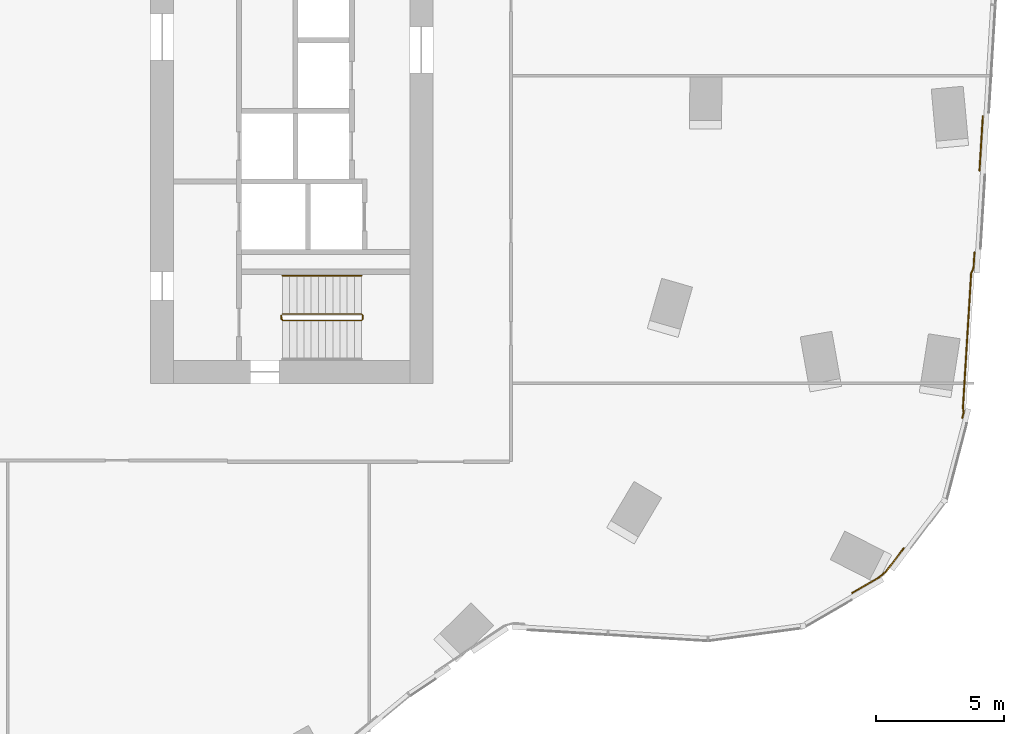
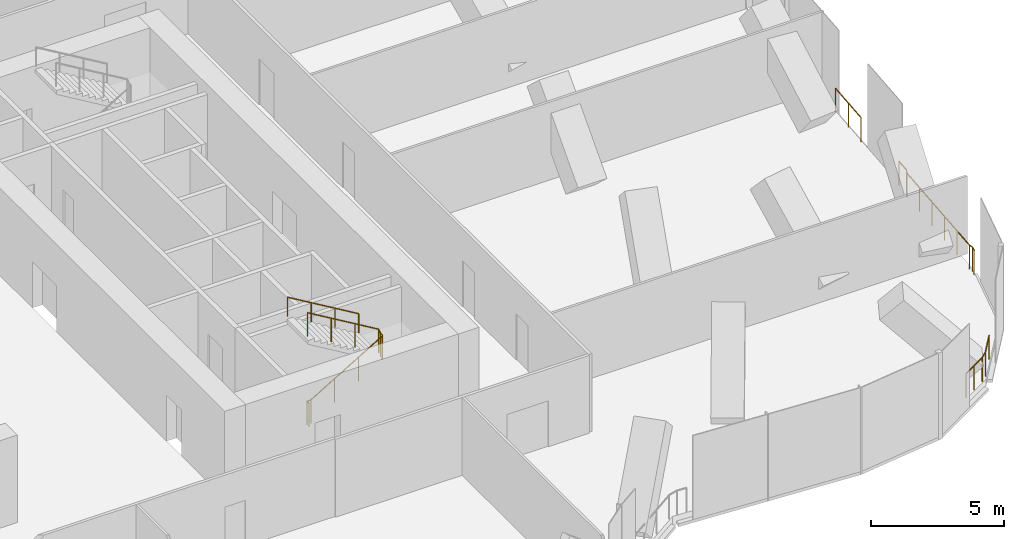
# One storey, part 26 of 28: 6 railings.
"""IFC4 building model written with IfcOpenShell, lengths in metres."""

import ifcopenshell
import ifcopenshell.guid

model = None  # the IFC model being written
_history = None  # IfcOwnerHistory: only IFC2X3 demands one
_inside = {}  # id of a spatial element -> (the spatial element, [elements in it])
_under = {}  # id of a project, library or spatial element -> (it, [spatial elements below it])
_declared = {}  # id of a project -> (the project, [libraries it declares])
_typed = {}  # id of a type object -> (the type object, [elements of that type])
_made_of = {}  # id of a material, layer set ... -> (it, [elements and type objects made of it])


def new_model(schema):
    """Start an empty IFC model of exactly this schema.

    Asked for "IFC4X3", IfcOpenShell would pick the latest addendum, in which some entities
    have other attributes; the version numbers below select the first issue.
    IFC2X3 requires an IfcOwnerHistory on every rooted entity: one is made here for all.
    """
    global model, _history
    if schema == "IFC4X3":
        model = ifcopenshell.file(schema_version=(4, 3, 0, 0))
    else:
        model = ifcopenshell.file(schema=schema)
    _inside.clear()
    _under.clear()
    _declared.clear()
    _typed.clear()
    _made_of.clear()
    _history = None
    if model.schema == "IFC2X3":
        org = make("IfcOrganization", Name="unknown")
        user = make(
            "IfcPersonAndOrganization",
            ThePerson=make("IfcPerson", FamilyName="unknown"),
            TheOrganization=org,
        )
        app = make(
            "IfcApplication",
            ApplicationDeveloper=org,
            Version="unknown",
            ApplicationFullName="unknown",
            ApplicationIdentifier="unknown",
        )
        _history = make(
            "IfcOwnerHistory",
            OwningUser=user,
            OwningApplication=app,
            ChangeAction="ADDED",
            CreationDate=0,
        )
    return model


def make(cls, **values):
    """One entity of the class cls with the attributes given. An attribute that is None is left unset."""
    return model.create_entity(
        cls, **{name: value for name, value in values.items() if value is not None}
    )


def rooted(cls, **values):
    """An entity with a GlobalId (a new one), such as an element, a storey or a relation."""
    return make(cls, GlobalId=ifcopenshell.guid.new(), OwnerHistory=_history, **values)


def si_unit(unit_type, name, prefix=None):
    """IfcSIUnit, for example si_unit("LENGTHUNIT", "METRE", prefix="MILLI")."""
    return make("IfcSIUnit", UnitType=unit_type, Prefix=prefix, Name=name)


def assignment(units):
    """IfcUnitAssignment: the units of a project."""
    return None if units is None else make("IfcUnitAssignment", Units=units)


def point(xyz):
    """IfcCartesianPoint."""
    return None if xyz is None else make("IfcCartesianPoint", Coordinates=xyz)


def direction(xyz):
    """IfcDirection."""
    return None if xyz is None else make("IfcDirection", DirectionRatios=xyz)


def frame(location, z_axis=None, x_axis=None):
    """IfcAxis2Placement3D, a coordinate frame: its origin and axes. An axis left out is left unset."""
    return make(
        "IfcAxis2Placement3D",
        Location=point(location),
        Axis=direction(z_axis),
        RefDirection=direction(x_axis),
    )


def frame_2d(location, x_axis=None):
    """IfcAxis2Placement2D, a coordinate frame in the plane: its origin and x axis."""
    return make(
        "IfcAxis2Placement2D", Location=point(location), RefDirection=direction(x_axis)
    )


def origin():
    """The frame at (0, 0, 0) with its axes left unset."""
    return frame((0.0, 0.0, 0.0))


def origin_2d():
    """The frame at (0, 0) in the plane with its x axis left unset."""
    return frame_2d((0.0, 0.0))


def place(relative_to, where):
    """IfcLocalPlacement: puts the frame where relative to a parent placement (None: the world)."""
    return make(
        "IfcLocalPlacement", PlacementRelTo=relative_to, RelativePlacement=where
    )


def context(
    kind, dimensions, precision=None, world=None, true_north=None, identifier=None
):
    """IfcGeometricRepresentationContext, for example the 3D "Model" context."""
    return make(
        "IfcGeometricRepresentationContext",
        ContextIdentifier=identifier,
        ContextType=kind,
        CoordinateSpaceDimension=dimensions,
        Precision=precision,
        WorldCoordinateSystem=world,
        TrueNorth=true_north,
    )


def subcontext(parent, identifier, kind, view, scale=None):
    """IfcGeometricRepresentationSubContext, for example "Body" below "Model"."""
    return make(
        "IfcGeometricRepresentationSubContext",
        ContextIdentifier=identifier,
        ContextType=kind,
        ParentContext=parent,
        TargetScale=scale,
        TargetView=view,
    )


def project(units=None, contexts=None):
    """IfcProject with its units and contexts."""
    return rooted(
        "IfcProject",
        Name="project",
        RepresentationContexts=contexts,
        UnitsInContext=assignment(units),
    )


def spatial(cls, under=None, at=None, **own):
    """A site, building, storey or space (cls), placed at a placement, below another one or the project."""
    s = rooted(cls, ObjectPlacement=at, **own)
    if under is not None:
        _under.setdefault(under.id(), (under, []))[1].append(s)
    return s


def profile(cls, at=None, kind="AREA", **sizes):
    """A parametric profile (cls). Its sizes go by their IFC names, for example OverallWidth=200.0."""
    return make(cls, ProfileType=kind, Position=at, **sizes)


def circle(**sizes):
    """IfcCircleProfileDef."""
    return profile("IfcCircleProfileDef", **sizes)


def extrude(swept, where, along, depth):
    """IfcExtrudedAreaSolid: the profile swept, set in the frame where, extruded along a direction by depth."""
    return make(
        "IfcExtrudedAreaSolid",
        SweptArea=swept,
        Position=where,
        ExtrudedDirection=direction(along),
        Depth=depth,
    )


def shape(context_of_items, identifier, shape_type, items):
    """IfcShapeRepresentation: the items that make up one representation, for example the "Body"."""
    return make(
        "IfcShapeRepresentation",
        ContextOfItems=context_of_items,
        RepresentationIdentifier=identifier,
        RepresentationType=shape_type,
        Items=items,
    )


def material(Name=None, Category=None):
    """IfcMaterial."""
    return make("IfcMaterial", Name=Name, Category=Category)


def made_of(thing, what):
    """Note that an element or type object is made of a material, layer set ...; save() writes the relation."""
    if what is not None:
        _made_of.setdefault(what.id(), (what, []))[1].append(thing)
    return thing


def type_object(cls, material=None, **own):
    """A type object (cls), such as IfcWallType, which elements share."""
    return made_of(rooted(cls, **own), material)


def element(
    cls,
    number,
    at=None,
    inside=None,
    cuts=None,
    type_object=None,
    material=None,
    context=None,
    identifier="Body",
    shape_type=None,
    held_by="IfcProductDefinitionShape",
    body=None,
    shapes=None,
    **own,
):
    """One element of the class cls, such as IfcWall. Its Tag is "e" and its number.

    at: its placement. inside: the storey or other place that contains it. cuts: it is an
    opening in that element (IfcRelVoidsElement). A single representation is given by context,
    identifier, shape_type and body (its items); several are given by shapes. held_by: the class
    of the entity that holds the representations. save() writes the other relations.
    """
    e = rooted(cls, Tag="e%d" % number, ObjectPlacement=at, **own)
    if body is not None:
        shapes = [shape(context, identifier, shape_type, body)]
    if shapes is not None:
        e.Representation = make(held_by, Representations=shapes)
    if inside is not None:
        _inside.setdefault(inside.id(), (inside, []))[1].append(e)
    if cuts is not None:
        rooted(
            "IfcRelVoidsElement", RelatingBuildingElement=cuts, RelatedOpeningElement=e
        )
    if type_object is not None:
        _typed.setdefault(type_object.id(), (type_object, []))[1].append(e)
    return made_of(e, material)


def aggregate(whole, parts):
    """IfcRelAggregates: a whole, such as a stair, and the parts it consists of."""
    return rooted("IfcRelAggregates", RelatingObject=whole, RelatedObjects=parts)


def save(model, path):
    """Write the relations noted so far, then the file.

    IfcRelAggregates (storeys below a building ...), IfcRelContainedInSpatialStructure (elements
    in a storey), IfcRelDefinesByType, IfcRelAssociatesMaterial and IfcRelDeclares: one each for
    every whole, place, type object, material and project.
    """
    for whole, parts in _under.values():
        aggregate(whole, parts)
    for where, things in _inside.values():
        rooted(
            "IfcRelContainedInSpatialStructure",
            RelatedElements=things,
            RelatingStructure=where,
        )
    for kind, things in _typed.values():
        rooted("IfcRelDefinesByType", RelatedObjects=things, RelatingType=kind)
    for what, things in _made_of.values():
        rooted("IfcRelAssociatesMaterial", RelatedObjects=things, RelatingMaterial=what)
    for by, libraries in _declared.values():
        rooted("IfcRelDeclares", RelatingContext=by, RelatedDefinitions=libraries)
    model.write(path)


model = new_model("IFC4")

# Units and contexts
model_context = context("Model", 3, precision=1e-05, world=origin(), true_north=direction((0.0, 1.0)))
body_context = subcontext(model_context, "Body", "Model", "MODEL_VIEW")
ifc_project = project(units=[si_unit("LENGTHUNIT", "METRE"), si_unit("AREAUNIT", "SQUARE_METRE"), si_unit("VOLUMEUNIT", "CUBIC_METRE"), si_unit("PLANEANGLEUNIT", "RADIAN"), si_unit("MASSUNIT", "GRAM", prefix="KILO")], contexts=[model_context])

# Site, building, storey
site_placement = place(None, origin())
site = spatial("IfcSite", under=ifc_project, at=site_placement, CompositionType="ELEMENT")
building_placement = place(site_placement, origin())
building = spatial("IfcBuilding", under=site, at=building_placement, Name="Orlundy Tower", CompositionType="ELEMENT")
storey_placement = place(building_placement, frame((0.0, 0.0, 163.10009765625)))
storey = spatial("IfcBuildingStorey", under=building, at=storey_placement, Name="L42", CompositionType="ELEMENT", Elevation=163.10009765625)

# Railings
ifc_material_1 = material(Name="Steel balustrade", Category="steel")
railing_type_1 = type_object("IfcRailingType", Name="Stair Guard 1100", PredefinedType="GUARDRAIL", material=ifc_material_1)
railing_1_placement = place(storey_placement, frame((13.090087890625, -9.5, 0.0)))
element("IfcRailing", 1, at=railing_1_placement, inside=storey, type_object=railing_type_1, Name="L42 ST-E1 stair guard 1", PredefinedType="GUARDRAIL", context=body_context, shape_type="SweptSolid", body=[
    extrude(circle(Radius=0.02392578125, at=origin_2d()), frame((0.0, 0.0, 1.076171875), z_axis=(0.0, 1.0, 0.0), x_axis=(-1.0, 0.0, 0.0)), (0.0, 0.0, 1.0), 0.14990234375),
    extrude(circle(Radius=0.02392578125, at=origin_2d()), frame((0.0, 0.14990234375, 1.076171875), z_axis=(0.187996396626, -0.754750239394, 0.628497757347), x_axis=(0.970351222016, 0.241699205484, 0.0)), (0.0, 0.0, 1.0), 0.264892578125),
    extrude(circle(Radius=0.02392578125, at=origin_2d()), frame((0.0498046875, -0.050048828125, 1.24267578125), z_axis=(0.85927862911, 0.0, 0.511507807912), x_axis=(0.0, 1.0, 0.0)), (0.0, 0.0, 1.0), 3.58447265625),
    extrude(circle(Radius=0.02392578125, at=origin_2d()), frame((3.1298828125, -0.050048828125, 3.076171875), z_axis=(0.707106781187, 0.707106781187, 0.0), x_axis=(-0.707106781187, 0.707106781187, 0.0)), (0.0, 0.0, 1.0), 0.07080078125),
    extrude(circle(Radius=0.02392578125, at=origin_2d()), frame((3.179931640625, 0.0, 3.076171875), z_axis=(0.0, 1.0, 0.0), x_axis=(-1.0, 0.0, 0.0)), (0.0, 0.0, 1.0), 0.14990234375),
    extrude(circle(Radius=0.02392578125, at=origin_2d()), frame((3.179931640625, 0.14990234375, 3.076171875), z_axis=(-0.27662974545, 0.27662974545, 0.920299933644), x_axis=(-0.707106781187, -0.707106781187, 0.0)), (0.0, 0.0, 1.0), 0.180908203125),
    extrude(circle(Radius=0.02392578125, at=origin_2d()), frame((3.1298828125, 0.199951171875, 3.24267578125), z_axis=(-0.85927862911, 0.0, 0.511507807912), x_axis=(0.0, -1.0, 0.0)), (0.0, 0.0, 1.0), 3.58447265625),
    extrude(circle(Radius=0.02099609375, at=origin_2d()), origin(), (0.0, 0.0, 1.0), 1.052001953125),
    extrude(circle(Radius=0.02099609375, at=origin_2d()), frame((0.0, 0.14990234375, 0.0)), (0.0, 0.0, 1.0), 1.052001953125),
    extrude(circle(Radius=0.02099609375, at=origin_2d()), frame((0.0498046875, -0.050048828125, 0.16650390625)), (0.0, 0.0, 1.0), 1.052001953125),
    extrude(circle(Radius=0.02099609375, at=origin_2d()), frame((1.076416015625, -0.050048828125, 0.777587890625)), (0.0, 0.0, 1.0), 1.052001953125),
    extrude(circle(Radius=0.02099609375, at=origin_2d()), frame((2.103271484375, -0.050048828125, 1.388916015625)), (0.0, 0.0, 1.0), 1.052001953125),
    extrude(circle(Radius=0.02099609375, at=origin_2d()), frame((3.1298828125, -0.050048828125, 2.0)), (0.0, 0.0, 1.0), 1.052001953125),
    extrude(circle(Radius=0.02099609375, at=origin_2d()), frame((3.179931640625, 0.0, 2.0)), (0.0, 0.0, 1.0), 1.052001953125),
    extrude(circle(Radius=0.02099609375, at=origin_2d()), frame((3.179931640625, 0.14990234375, 2.0)), (0.0, 0.0, 1.0), 1.052001953125),
    extrude(circle(Radius=0.02099609375, at=origin_2d()), frame((3.1298828125, 0.199951171875, 2.16650390625)), (0.0, 0.0, 1.0), 1.052001953125),
    extrude(circle(Radius=0.02099609375, at=origin_2d()), frame((2.103271484375, 0.199951171875, 2.777587890625)), (0.0, 0.0, 1.0), 1.052001953125),
    extrude(circle(Radius=0.02099609375, at=origin_2d()), frame((1.076416015625, 0.199951171875, 3.388916015625)), (0.0, 0.0, 1.0), 1.052001953125),
    extrude(circle(Radius=0.02099609375, at=origin_2d()), frame((0.0498046875, 0.199951171875, 4.0)), (0.0, 0.0, 1.0), 1.052001953125),
])
ifc_material_2 = material(Name="Steel handrail", Category="steel")
railing_type_2 = type_object("IfcRailingType", Name="Stair Handrail 900", PredefinedType="HANDRAIL", material=ifc_material_2)
railing_2_placement = place(storey_placement, frame((16.219970703125, -7.800048828125, 2.16650390625)))
element("IfcRailing", 2, at=railing_2_placement, inside=storey, type_object=railing_type_2, Name="L42 ST-E1 stair handrail 2", PredefinedType="HANDRAIL", context=body_context, shape_type="SweptSolid", body=[
    extrude(circle(Radius=0.02392578125, at=origin_2d()), frame((0.0, 0.0, 0.8759765625), z_axis=(-0.85927862911, 0.0, 0.511507807912), x_axis=(0.0, -1.0, 0.0)), (0.0, 0.0, 1.0), 3.58447265625),
    extrude(circle(Radius=0.02099609375, at=origin_2d()), origin(), (0.0, 0.0, 1.0), 0.851806640625),
    extrude(circle(Radius=0.02099609375, at=origin_2d()), frame((-1.026611328125, 0.0, 0.611083984375)), (0.0, 0.0, 1.0), 0.851806640625),
    extrude(circle(Radius=0.02099609375, at=origin_2d()), frame((-2.053466796875, 0.0, 1.222412109375)), (0.0, 0.0, 1.0), 0.851806640625),
    extrude(circle(Radius=0.02099609375, at=origin_2d()), frame((-3.080078125, 0.0, 1.83349609375)), (0.0, 0.0, 1.0), 0.851806640625),
])
ifc_material_3 = material(Name="Stainless steel bronze finish", Category="steel")
railing_type_3 = type_object("IfcRailingType", Name="TG1 terrace guard", PredefinedType="GUARDRAIL", material=ifc_material_3)
railing_3_placement = place(storey_placement, frame((40.114013671875, -6.886474609375, 0.0)))
element("IfcRailing", 3, at=railing_3_placement, inside=storey, type_object=railing_type_3, Name="Guard TG-L42-E04", PredefinedType="GUARDRAIL", context=body_context, shape_type="SweptSolid", body=[
    extrude(circle(Radius=0.02490234375, at=origin_2d()), frame((0.0, 0.0, 1.09521484375), z_axis=(-0.061284666225, -0.99812032826, 0.0), x_axis=(0.99812032826, -0.061284666225, 0.0)), (0.0, 0.0, 1.0), 0.62548828125),
    extrude(circle(Radius=0.02490234375, at=origin_2d()), frame((-0.038330078125, -0.624267578125, 1.09521484375), z_axis=(-0.427598724335, -0.903968655954, 0.0), x_axis=(0.903968655954, -0.427598724335, 0.0)), (0.0, 0.0, 1.0), 0.21533203125),
    extrude(circle(Radius=0.02490234375, at=origin_2d()), frame((-0.13037109375, -0.81884765625, 1.09521484375), z_axis=(-0.061055227264, -0.99813438936, 0.0), x_axis=(0.99813438936, -0.061055227264, 0.0)), (0.0, 0.0, 1.0), 5.250244140625),
    extrude(circle(Radius=0.02001953125, at=origin_2d()), origin(), (0.0, 0.0, 1.0), 1.070068359375),
    extrude(circle(Radius=0.02001953125, at=origin_2d()), frame((-0.038330078125, -0.624267578125, 0.0)), (0.0, 0.0, 1.0), 1.070068359375),
    extrude(circle(Radius=0.02001953125, at=origin_2d()), frame((-0.13037109375, -0.81884765625, 0.0)), (0.0, 0.0, 1.0), 1.070068359375),
    extrude(circle(Radius=0.02001953125, at=origin_2d()), frame((-0.194580078125, -1.866943359375, 0.0)), (0.0, 0.0, 1.0), 1.070068359375),
    extrude(circle(Radius=0.02001953125, at=origin_2d()), frame((-0.258544921875, -2.9150390625, 0.0)), (0.0, 0.0, 1.0), 1.070068359375),
    extrude(circle(Radius=0.02001953125, at=origin_2d()), frame((-0.32275390625, -3.963134765625, 0.0)), (0.0, 0.0, 1.0), 1.070068359375),
    extrude(circle(Radius=0.02001953125, at=origin_2d()), frame((-0.38671875, -5.01123046875, 0.0)), (0.0, 0.0, 1.0), 1.070068359375),
    extrude(circle(Radius=0.02001953125, at=origin_2d()), frame((-0.450927734375, -6.059326171875, 0.0)), (0.0, 0.0, 1.0), 1.070068359375),
])
railing_4_placement = place(storey_placement, frame((37.355712890625, -18.4228515625, 0.0)))
element("IfcRailing", 4, at=railing_4_placement, inside=storey, type_object=railing_type_3, Name="Guard TG-L42-E025", PredefinedType="GUARDRAIL", context=body_context, shape_type="SweptSolid", body=[
    extrude(circle(Radius=0.02490234375, at=origin_2d()), frame((0.0, 0.0, 1.09521484375), z_axis=(-0.605206199018, -0.796068751221, 0.0), x_axis=(0.796068751221, -0.605206199018, 0.0)), (0.0, 0.0, 1.0), 1.107666015625),
    extrude(circle(Radius=0.02490234375, at=origin_2d()), frame((-0.67041015625, -0.8818359375, 1.09521484375), z_axis=(-0.749194452631, -0.662350112966, 0.0), x_axis=(0.662350112966, -0.749194452631, 0.0)), (0.0, 0.0, 1.0), 0.376708984375),
    extrude(circle(Radius=0.02490234375, at=origin_2d()), frame((-0.95263671875, -1.13134765625, 1.09521484375), z_axis=(-0.863901864056, -0.503660172418, 0.0), x_axis=(0.503660172418, -0.863901864056, 0.0)), (0.0, 0.0, 1.0), 1.223876953125),
    extrude(circle(Radius=0.02001953125, at=origin_2d()), origin(), (0.0, 0.0, 1.0), 1.070068359375),
    extrude(circle(Radius=0.02001953125, at=origin_2d()), frame((-0.67041015625, -0.8818359375, 0.0)), (0.0, 0.0, 1.0), 1.070068359375),
    extrude(circle(Radius=0.02001953125, at=origin_2d()), frame((-0.95263671875, -1.13134765625, 0.0)), (0.0, 0.0, 1.0), 1.070068359375),
    extrude(circle(Radius=0.02001953125, at=origin_2d()), frame((-1.4814453125, -1.439453125, 0.0)), (0.0, 0.0, 1.0), 1.070068359375),
    extrude(circle(Radius=0.02001953125, at=origin_2d()), frame((-2.010009765625, -1.747802734375, 0.0)), (0.0, 0.0, 1.0), 1.070068359375),
])
railing_5_placement = place(storey_placement, frame((40.4384765625, -1.5810546875, 0.0)))
element("IfcRailing", 5, at=railing_5_placement, inside=storey, type_object=railing_type_3, Name="Guard TG-L42-E028", PredefinedType="GUARDRAIL", context=body_context, shape_type="SweptSolid", body=[
    extrude(circle(Radius=0.02490234375, at=origin_2d()), frame((0.0, 0.0, 1.09521484375), z_axis=(-0.061000491162, -0.998137736025, 0.0), x_axis=(0.998137736025, -0.061000491162, 0.0)), (0.0, 0.0, 1.0), 2.129150390625),
    extrude(circle(Radius=0.02001953125, at=origin_2d()), origin(), (0.0, 0.0, 1.0), 1.070068359375),
    extrude(circle(Radius=0.02001953125, at=origin_2d()), frame((-0.06494140625, -1.0625, 0.0)), (0.0, 0.0, 1.0), 1.070068359375),
    extrude(circle(Radius=0.02001953125, at=origin_2d()), frame((-0.1298828125, -2.125244140625, 0.0)), (0.0, 0.0, 1.0), 1.070068359375),
])
railing_6_placement = place(storey_placement, frame((39.6630859375, -12.94580078125, 0.0)))
element("IfcRailing", 6, at=railing_6_placement, inside=storey, type_object=railing_type_3, Name="Guard TG-L42-E031", PredefinedType="GUARDRAIL", context=body_context, shape_type="SweptSolid", body=[
    extrude(circle(Radius=0.02490234375, at=origin_2d()), frame((0.0, 0.0, 1.09521484375), z_axis=(0.157002784414, -0.987598160026, 0.0), x_axis=(0.987598160026, 0.157002784414, 0.0)), (0.0, 0.0, 1.0), 0.19287109375),
    extrude(circle(Radius=0.02490234375, at=origin_2d()), frame((0.0302734375, -0.1904296875, 1.09521484375), z_axis=(-0.253408489223, -0.96735936321, 0.0), x_axis=(0.96735936321, -0.253408489223, 0.0)), (0.0, 0.0, 1.0), 0.2216796875),
    extrude(circle(Radius=0.02001953125, at=origin_2d()), origin(), (0.0, 0.0, 1.0), 1.070068359375),
    extrude(circle(Radius=0.02001953125, at=origin_2d()), frame((0.0302734375, -0.1904296875, 0.0)), (0.0, 0.0, 1.0), 1.070068359375),
    extrude(circle(Radius=0.02001953125, at=origin_2d()), frame((-0.02587890625, -0.40478515625, 0.0)), (0.0, 0.0, 1.0), 1.070068359375),
])

save(model, "model.ifc")
